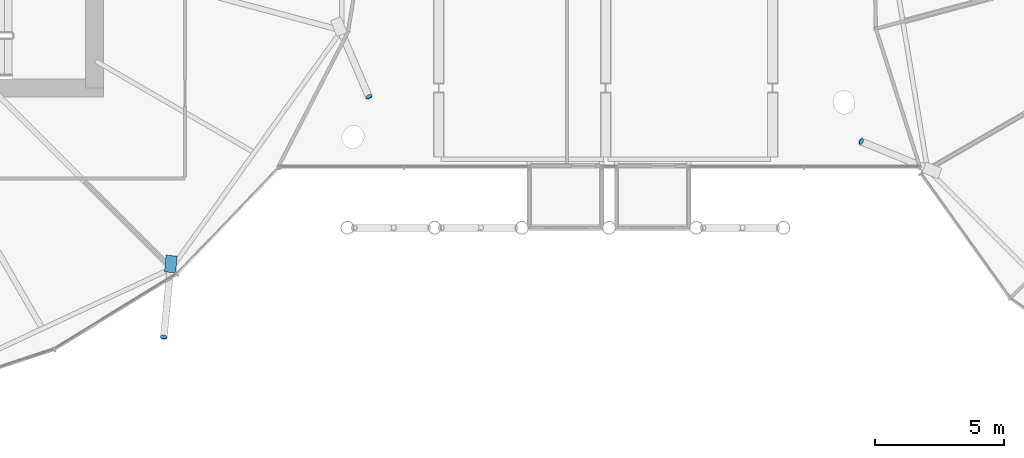
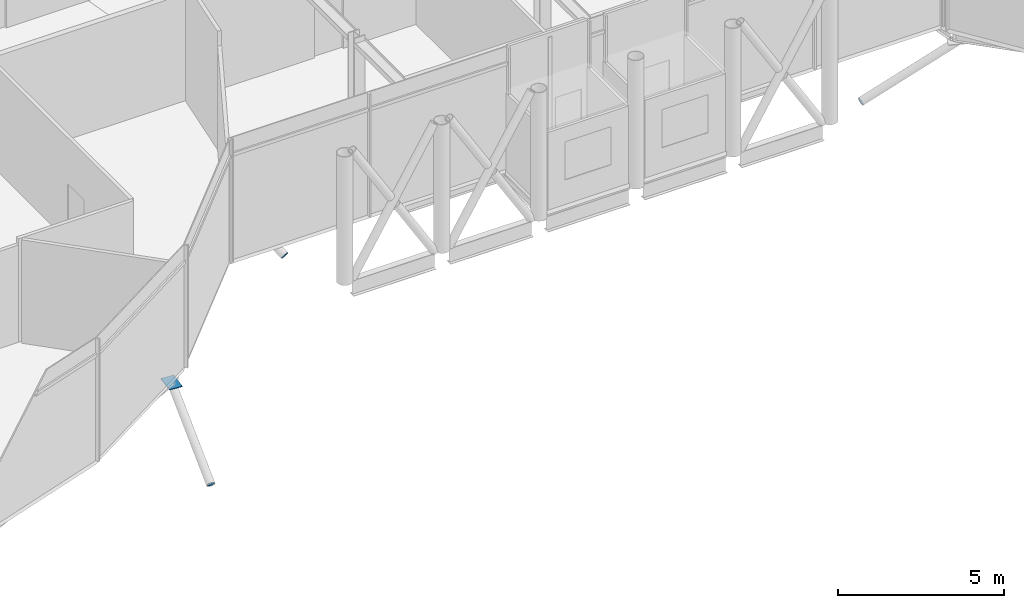
# One storey, part 30 of 36: 4 discrete accessories.
"""IFC4 building model written with IfcOpenShell, lengths in metres."""

from ifc_helpers import new_model, si_unit, direction, frame, origin, origin_2d, place, context, subcontext, project, spatial, polyline, rectangle, circle, outline, extrude, material, material_profile, profile_set, type_object, element, save


model = new_model("IFC4")

# Units and contexts
model_context = context("Model", 3, precision=1e-05, world=origin(), true_north=direction((0.0, 1.0)))
body_context = subcontext(model_context, "Body", "Model", "MODEL_VIEW")
ifc_project = project(units=[si_unit("LENGTHUNIT", "METRE"), si_unit("AREAUNIT", "SQUARE_METRE"), si_unit("VOLUMEUNIT", "CUBIC_METRE"), si_unit("PLANEANGLEUNIT", "RADIAN"), si_unit("MASSUNIT", "GRAM", prefix="KILO")], contexts=[model_context])

# Site, building, storey
site_placement = place(None, origin())
site = spatial("IfcSite", under=ifc_project, at=site_placement, CompositionType="ELEMENT")
building_placement = place(site_placement, origin())
building = spatial("IfcBuilding", under=site, at=building_placement, Name="Rimbun Link Towers", CompositionType="ELEMENT")
storey_placement = place(building_placement, frame((0.0, 0.0, 154.39990234375)))
storey = spatial("IfcBuildingStorey", under=building, at=storey_placement, Name="L37", CompositionType="ELEMENT", Elevation=154.39990234375)

# Discrete accessories
ifc_material_1 = material(Name="Steel S355J2H", Category="steel")
ifc_material_profile_1 = material_profile(ifc_material_1, circle(Radius=0.1240234375, at=origin_2d()), Name="PL D248")
ifc_profile_set_1 = profile_set([ifc_material_profile_1], Name="Steel S355J2H")
discrete_accessory_type_1 = type_object("IfcDiscreteAccessoryType", Name="Link foot sealing plate D248X20", PredefinedType="BRACKET", material=ifc_profile_set_1)
for number, where, z_axis, x_axis, name in (
    (1, (-17.072265625, -17.61328125, -2.634521484375), (-0.073383858753, -0.831683732536, -0.550378940649), (0.996129850025, -0.087893810296, 0.0), "Link foot sealing plate T1 L37 21"),
    (2, (-9.15380859375, -8.328857421875, -2.644775390625), (0.328366085868, -0.778349240576, -0.535115102896), (0.921364160958, 0.388700505404, 0.0), "Link foot sealing plate T1 L37 23"),
    (3, (9.87890625, -10.07080078125, -2.599853515625), (-0.776285258402, 0.315365886226, -0.545825572314), (-0.376377046956, -0.926466577122, 0.0), "Link foot sealing plate T2 L37 11"),
):
    element("IfcDiscreteAccessory", number, at=place(storey_placement, frame(where, z_axis=z_axis, x_axis=x_axis)), inside=storey, type_object=discrete_accessory_type_1, Name=name, PredefinedType="BRACKET", context=body_context, shape_type="SweptSolid", body=[
        extrude(circle(Radius=0.1240234375, at=origin_2d()), origin(), (0.0, 0.0, 1.0), 0.02001953125),
    ])
ifc_material_2 = material(Name="Steel S355J2H", Category="steel")
ifc_material_profile_2 = material_profile(ifc_material_2, rectangle(XDim=0.43310546875, YDim=0.43310546875, at=origin_2d()), Name="PL 433x433")
ifc_profile_set_2 = profile_set([ifc_material_profile_2], Name="Steel S355J2H")
discrete_accessory_type_2 = type_object("IfcDiscreteAccessoryType", Name="Link head end plate 433X20", PredefinedType="BRACKET", material=ifc_profile_set_2)
discrete_accessory_placement = place(storey_placement, frame((0.0, 0.0, -0.73291015625)))
element("IfcDiscreteAccessory", 4, at=discrete_accessory_placement, inside=storey, type_object=discrete_accessory_type_2, Name="Link head end plate T1 L37 21", PredefinedType="BRACKET", context=body_context, shape_type="SweptSolid", body=[
    extrude(outline(polyline([(-16.983642578125, -14.455078125), (-17.04638671875, -15.101318359375), (-16.615478515625, -15.14306640625), (-16.552734375, -14.496826171875), (-16.983642578125, -14.455078125)])), origin(), (0.0, 0.0, 1.0), 0.02001953125),
])

save(model, "model.ifc")
